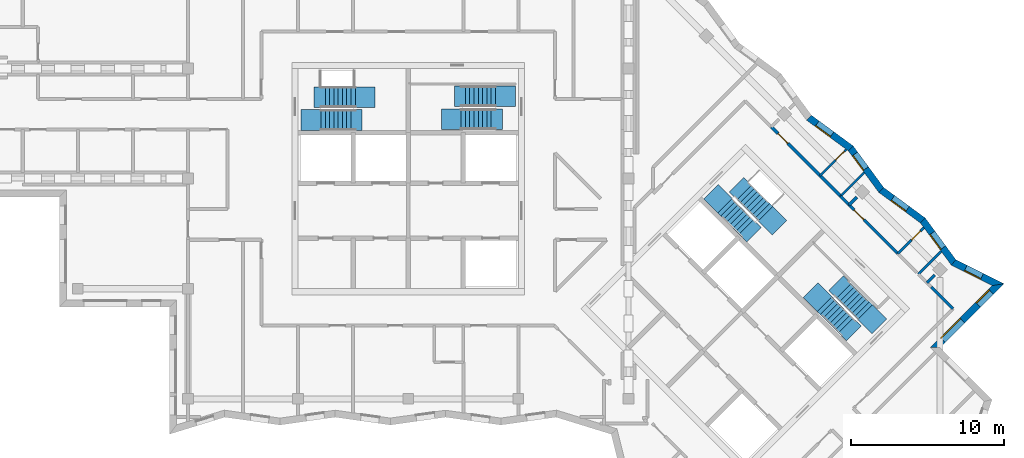
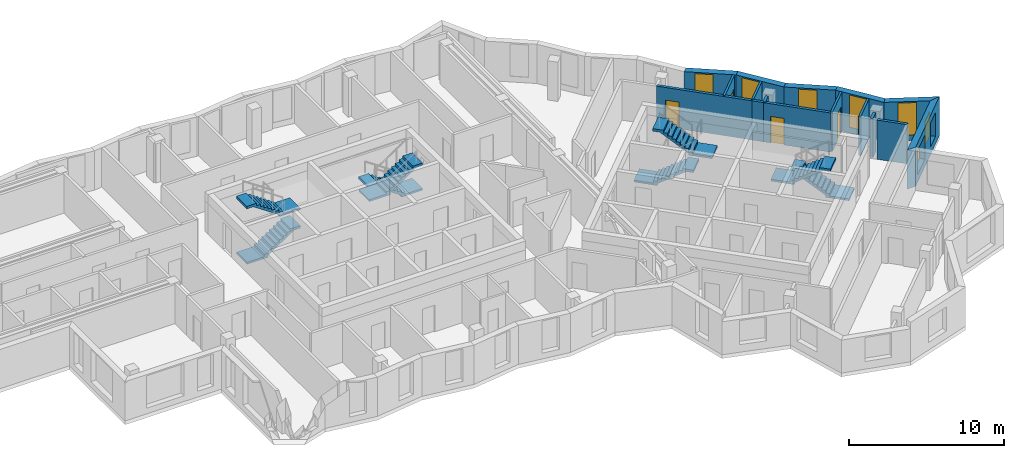
# One storey, part 9 of 12: 16 walls, 8 stair flights, 7 windows, 4 doors, 11 openings, 4 elements without a shape of their own.
"""IFC4 building model written with IfcOpenShell, lengths in metres."""

from ifc_helpers import new_model, si_unit, direction, frame, frame_2d, origin, place, context, subcontext, project, spatial, polyline, rectangle, outline, extrude, material, layer, layer_set, type_object, element, fill, aggregate, save


model = new_model("IFC4")

# Units and contexts
model_context = context("Model", 3, precision=1e-05, world=origin(), true_north=direction((0.0, 1.0)))
body_context = subcontext(model_context, "Body", "Model", "MODEL_VIEW")
ifc_project = project(units=[si_unit("LENGTHUNIT", "METRE"), si_unit("AREAUNIT", "SQUARE_METRE"), si_unit("VOLUMEUNIT", "CUBIC_METRE"), si_unit("PLANEANGLEUNIT", "RADIAN"), si_unit("MASSUNIT", "GRAM", prefix="KILO")], contexts=[model_context])

# Site, building, storey
site_placement = place(None, origin())
site = spatial("IfcSite", under=ifc_project, at=site_placement, CompositionType="ELEMENT")
building_placement = place(site_placement, origin())
building = spatial("IfcBuilding", under=site, at=building_placement, Name="Windrow Commons", CompositionType="ELEMENT")
storey_placement = place(building_placement, frame((0.0, 0.0, 267.6)))
storey = spatial("IfcBuildingStorey", under=building, at=storey_placement, Name="L73", CompositionType="ELEMENT", Elevation=267.6)

# Wall, openings, windows
ifc_material_1 = material(Name="Brick masonry, red clay brick", Category="masonry")
ifc_layer_1 = layer(ifc_material_1, 0.45)
ifc_layer_set_1 = layer_set([ifc_layer_1], Name="Brick facade wall 450")
wall_type_1 = type_object("IfcWallType", Name="Brick facade wall 450", PredefinedType="SOLIDWALL", material=ifc_layer_set_1)
wall_1_placement = place(storey_placement, frame((99.2465, 46.5442, 0.0), z_axis=(0.0, 0.0, 1.0), x_axis=(0.7071067812, 0.7071067812, 0.0)))
wall_1 = element("IfcWall", 1, at=wall_1_placement, inside=storey, type_object=wall_type_1, Name="Brick facade wall L73 6", PredefinedType="SOLIDWALL", context=body_context, shape_type="SweptSolid", body=[
    extrude(outline(polyline([(0.225, -0.225), (6.137, -0.225), (5.5126, 0.225), (-0.225, 0.225), (0.225, -0.225)])), origin(), (0.0, 0.0, 1.0), 3.1),
])
opening_1_placement = place(wall_1_placement, frame((0.7125, 0.0, 0.6)))
opening_1 = element("IfcOpeningElement", 2, at=opening_1_placement, cuts=wall_1, Name="Opening W1L", PredefinedType="OPENING", context=body_context, shape_type="SweptSolid", body=[
    extrude(rectangle(XDim=1.8, YDim=1.9, at=frame_2d((0.9, 0.95))), frame((0.0, 0.235, 0.0), z_axis=(0.0, -1.0, 0.0), x_axis=(1.0, 0.0, 0.0)), (0.0, 0.0, 1.0), 0.47),
])
opening_2_placement = place(wall_1_placement, frame((3.9688, 0.0, 0.6)))
opening_2 = element("IfcOpeningElement", 3, at=opening_2_placement, cuts=wall_1, Name="Opening W7G", PredefinedType="OPENING", context=body_context, shape_type="SweptSolid", body=[
    extrude(rectangle(XDim=1.2, YDim=1.9, at=frame_2d((0.6, 0.95))), frame((0.0, 0.235, 0.0), z_axis=(0.0, -1.0, 0.0), x_axis=(1.0, 0.0, 0.0)), (0.0, 0.0, 1.0), 0.47),
])
ifc_material_2 = material(Name="Clear float glass in anodised aluminium frame", Category="aluminium")
window_type_1 = type_object("IfcWindowType", Name="Window W1L bedroom 1800x1900", PartitioningType="SINGLE_PANEL", PredefinedType="WINDOW", material=ifc_material_2)
window_1_placement = place(opening_1_placement, origin())
window_1 = element("IfcWindow", 4, at=window_1_placement, inside=storey, type_object=window_type_1, Name="Window L73 6.1", OverallHeight=1.9, OverallWidth=1.8, PartitioningType="SINGLE_PANEL", PredefinedType="WINDOW", context=body_context, shape_type="SweptSolid", body=[
    extrude(rectangle(XDim=1.8, YDim=1.9, at=frame_2d((0.9, 0.95))), frame((0.0, 0.205, 0.0), z_axis=(0.0, -1.0, 0.0), x_axis=(1.0, 0.0, 0.0)), (0.0, 0.0, 1.0), 0.06),
])
fill(opening_1, window_1)
ifc_material_3 = material(Name="Clear float glass in anodised aluminium frame", Category="aluminium")
window_type_2 = type_object("IfcWindowType", Name="Window W7 notch 1200x1900", PartitioningType="SINGLE_PANEL", PredefinedType="WINDOW", material=ifc_material_3)
window_2_placement = place(opening_2_placement, origin())
window_2 = element("IfcWindow", 5, at=window_2_placement, inside=storey, type_object=window_type_2, Name="Window L73 6.2", OverallHeight=1.9, OverallWidth=1.2, PartitioningType="SINGLE_PANEL", PredefinedType="WINDOW", context=body_context, shape_type="SweptSolid", body=[
    extrude(rectangle(XDim=1.2, YDim=1.9, at=frame_2d((0.6, 0.95))), frame((0.0, 0.205, 0.0), z_axis=(0.0, -1.0, 0.0), x_axis=(1.0, 0.0, 0.0)), (0.0, 0.0, 1.0), 0.06),
])
fill(opening_2, window_2)

# Wall, opening, window
wall_2_placement = place(storey_placement, frame((103.3653, 50.663, 0.0), z_axis=(0.0, 0.0, 1.0), x_axis=(-0.8944456039, 0.4471767677, 0.0)))
wall_2 = element("IfcWall", 6, at=wall_2_placement, inside=storey, type_object=wall_type_1, Name="Brick facade wall L73 7", PredefinedType="SOLIDWALL", context=body_context, shape_type="SweptSolid", body=[
    extrude(outline(polyline([(-0.3122, -0.225), (3.204, -0.225), (3.3128, 0.225), (0.3122, 0.225), (-0.3122, -0.225)])), origin(), (0.0, 0.0, 1.0), 3.1),
])
opening_3_placement = place(wall_2_placement, frame((1.1853, 0.0, 0.45)))
opening_3 = element("IfcOpeningElement", 7, at=opening_3_placement, cuts=wall_2, Name="Opening W7F", PredefinedType="OPENING", context=body_context, shape_type="SweptSolid", body=[
    extrude(rectangle(XDim=1.2, YDim=2.55, at=frame_2d((0.6, 1.275))), frame((0.0, 0.235, 0.0), z_axis=(0.0, -1.0, 0.0), x_axis=(1.0, 0.0, 0.0)), (0.0, 0.0, 1.0), 0.47),
])
ifc_material_4 = material(Name="Clear float glass in anodised aluminium frame", Category="aluminium")
window_type_3 = type_object("IfcWindowType", Name="Window W7 notch 1200x2550", PartitioningType="SINGLE_PANEL", PredefinedType="WINDOW", material=ifc_material_4)
window_3_placement = place(opening_3_placement, origin())
window_3 = element("IfcWindow", 8, at=window_3_placement, inside=storey, type_object=window_type_3, Name="Window L73 7.1", OverallHeight=2.55, OverallWidth=1.2, PartitioningType="SINGLE_PANEL", PredefinedType="WINDOW", context=body_context, shape_type="SweptSolid", body=[
    extrude(rectangle(XDim=1.2, YDim=2.55, at=frame_2d((0.6, 1.275))), frame((0.0, 0.205, 0.0), z_axis=(0.0, -1.0, 0.0), x_axis=(1.0, 0.0, 0.0)), (0.0, 0.0, 1.0), 0.06),
])
fill(opening_3, window_3)

wall_3_placement = place(storey_placement, frame((100.4508, 52.1201, 0.0), z_axis=(0.0, 0.0, 1.0), x_axis=(-0.5916343714, 0.8062064069, 0.0)))
wall_3 = element("IfcWall", 9, at=wall_3_placement, inside=storey, type_object=wall_type_1, Name="Brick facade wall L73 8", PredefinedType="SOLIDWALL", context=body_context, shape_type="SweptSolid", body=[
    extrude(outline(polyline([(0.0544, -0.225), (3.4292, -0.225), (3.3601, 0.225), (-0.0544, 0.225), (0.0544, -0.225)])), origin(), (0.0, 0.0, 1.0), 3.1),
])
opening_4_placement = place(wall_3_placement, frame((1.1801, 0.0, 0.45)))
opening_4 = element("IfcOpeningElement", 10, at=opening_4_placement, cuts=wall_3, Name="Opening W7F", PredefinedType="OPENING", context=body_context, shape_type="SweptSolid", body=[
    extrude(rectangle(XDim=1.2, YDim=2.55, at=frame_2d((0.6, 1.275))), frame((0.0, 0.235, 0.0), z_axis=(0.0, -1.0, 0.0), x_axis=(1.0, 0.0, 0.0)), (0.0, 0.0, 1.0), 0.47),
])
window_4_placement = place(opening_4_placement, origin())
window_4 = element("IfcWindow", 11, at=window_4_placement, inside=storey, type_object=window_type_3, Name="Window L73 8.1", OverallHeight=2.55, OverallWidth=1.2, PartitioningType="SINGLE_PANEL", PredefinedType="WINDOW", context=body_context, shape_type="SweptSolid", body=[
    extrude(rectangle(XDim=1.2, YDim=2.55, at=frame_2d((0.6, 1.275))), frame((0.0, 0.205, 0.0), z_axis=(0.0, -1.0, 0.0), x_axis=(1.0, 0.0, 0.0)), (0.0, 0.0, 1.0), 0.06),
])
fill(opening_4, window_4)

wall_4_placement = place(storey_placement, frame((98.4424, 54.8569, 0.0), z_axis=(0.0, 0.0, 1.0), x_axis=(-0.806200528, 0.5916423825, 0.0)))
wall_4 = element("IfcWall", 12, at=wall_4_placement, inside=storey, type_object=wall_type_1, Name="Brick facade wall L73 9", PredefinedType="SOLIDWALL", context=body_context, shape_type="SweptSolid", body=[
    extrude(outline(polyline([(-0.0345, -0.225), (3.3403, -0.225), (3.4094, 0.225), (0.0345, 0.225), (-0.0345, -0.225)])), origin(), (0.0, 0.0, 1.0), 3.1),
])
opening_5_placement = place(wall_4_placement, frame((1.2547, 0.0, 0.45)))
opening_5 = element("IfcOpeningElement", 13, at=opening_5_placement, cuts=wall_4, Name="Opening W7F", PredefinedType="OPENING", context=body_context, shape_type="SweptSolid", body=[
    extrude(rectangle(XDim=1.2, YDim=2.55, at=frame_2d((0.6, 1.275))), frame((0.0, 0.235, 0.0), z_axis=(0.0, -1.0, 0.0), x_axis=(1.0, 0.0, 0.0)), (0.0, 0.0, 1.0), 0.47),
])
window_5_placement = place(opening_5_placement, origin())
window_5 = element("IfcWindow", 14, at=window_5_placement, inside=storey, type_object=window_type_3, Name="Window L73 9.1", OverallHeight=2.55, OverallWidth=1.2, PartitioningType="SINGLE_PANEL", PredefinedType="WINDOW", context=body_context, shape_type="SweptSolid", body=[
    extrude(rectangle(XDim=1.2, YDim=2.55, at=frame_2d((0.6, 1.275))), frame((0.0, 0.205, 0.0), z_axis=(0.0, -1.0, 0.0), x_axis=(1.0, 0.0, 0.0)), (0.0, 0.0, 1.0), 0.06),
])
fill(opening_5, window_5)

wall_5_placement = place(storey_placement, frame((95.7216, 56.8536, 0.0), z_axis=(0.0, 0.0, 1.0), x_axis=(-0.5916565162, 0.8061901555, 0.0)))
wall_5 = element("IfcWall", 15, at=wall_5_placement, inside=storey, type_object=wall_type_1, Name="Brick facade wall L73 10", PredefinedType="SOLIDWALL", context=body_context, shape_type="SweptSolid", body=[
    extrude(outline(polyline([(0.0345, -0.225), (3.4094, -0.225), (3.3403, 0.225), (-0.0345, 0.225), (0.0345, -0.225)])), origin(), (0.0, 0.0, 1.0), 3.1),
])
opening_6_placement = place(wall_5_placement, frame((1.7211, 0.0, 0.45)))
opening_6 = element("IfcOpeningElement", 16, at=opening_6_placement, cuts=wall_5, Name="Opening W7F", PredefinedType="OPENING", context=body_context, shape_type="SweptSolid", body=[
    extrude(rectangle(XDim=1.2, YDim=2.55, at=frame_2d((0.6, 1.275))), frame((0.0, 0.235, 0.0), z_axis=(0.0, -1.0, 0.0), x_axis=(1.0, 0.0, 0.0)), (0.0, 0.0, 1.0), 0.47),
])
window_6_placement = place(opening_6_placement, origin())
window_6 = element("IfcWindow", 17, at=window_6_placement, inside=storey, type_object=window_type_3, Name="Window L73 10.1", OverallHeight=2.55, OverallWidth=1.2, PartitioningType="SINGLE_PANEL", PredefinedType="WINDOW", context=body_context, shape_type="SweptSolid", body=[
    extrude(rectangle(XDim=1.2, YDim=2.55, at=frame_2d((0.6, 1.275))), frame((0.0, 0.205, 0.0), z_axis=(0.0, -1.0, 0.0), x_axis=(1.0, 0.0, 0.0)), (0.0, 0.0, 1.0), 0.06),
])
fill(opening_6, window_6)

wall_6_placement = place(storey_placement, frame((93.7249, 59.5743, 0.0), z_axis=(0.0, 0.0, 1.0), x_axis=(-0.806200528, 0.5916423825, 0.0)))
wall_6 = element("IfcWall", 18, at=wall_6_placement, inside=storey, type_object=wall_type_1, Name="Brick facade wall L73 11", PredefinedType="SOLIDWALL", context=body_context, shape_type="SweptSolid", body=[
    extrude(outline(polyline([(-0.0345, -0.225), (3.3403, -0.225), (3.4094, 0.225), (0.0345, 0.225), (-0.0345, -0.225)])), origin(), (0.0, 0.0, 1.0), 3.1),
])
opening_7_placement = place(wall_6_placement, frame((1.5221, 0.0, 0.45)))
opening_7 = element("IfcOpeningElement", 19, at=opening_7_placement, cuts=wall_6, Name="Opening W7F", PredefinedType="OPENING", context=body_context, shape_type="SweptSolid", body=[
    extrude(rectangle(XDim=1.2, YDim=2.55, at=frame_2d((0.6, 1.275))), frame((0.0, 0.235, 0.0), z_axis=(0.0, -1.0, 0.0), x_axis=(1.0, 0.0, 0.0)), (0.0, 0.0, 1.0), 0.47),
])
window_7_placement = place(opening_7_placement, origin())
window_7 = element("IfcWindow", 20, at=window_7_placement, inside=storey, type_object=window_type_3, Name="Window L73 11.1", OverallHeight=2.55, OverallWidth=1.2, PartitioningType="SINGLE_PANEL", PredefinedType="WINDOW", context=body_context, shape_type="SweptSolid", body=[
    extrude(rectangle(XDim=1.2, YDim=2.55, at=frame_2d((0.6, 1.275))), frame((0.0, 0.205, 0.0), z_axis=(0.0, -1.0, 0.0), x_axis=(1.0, 0.0, 0.0)), (0.0, 0.0, 1.0), 0.06),
])
fill(opening_7, window_7)

# Wall, opening, door
ifc_material_5 = material(Name="Blockwork partition", Category="masonry")
ifc_layer_2 = layer(ifc_material_5, 0.2)
ifc_layer_set_2 = layer_set([ifc_layer_2], Name="IW-CORRIDOR-200")
wall_type_2 = type_object("IfcWallType", Name="IW-CORRIDOR-200", PredefinedType="PARTITIONING", material=ifc_layer_set_2)
wall_7_placement = place(storey_placement, frame((88.5373, 60.9733, 0.0), z_axis=(0.0, 0.0, 1.0), x_axis=(0.7071067812, -0.7071067812, 0.0)))
wall_7 = element("IfcWall", 21, at=wall_7_placement, inside=storey, type_object=wall_type_2, Name="W-L73-W024", PredefinedType="PARTITIONING", context=body_context, shape_type="SweptSolid", body=[
    extrude(rectangle(XDim=6.4007, YDim=0.2, at=frame_2d((3.2003, 0.0))), origin(), (0.0, 0.0, 1.0), 3.1),
])
opening_8_placement = place(wall_7_placement, frame((0.6145, 0.0, 0.0)))
opening_8 = element("IfcOpeningElement", 22, at=opening_8_placement, cuts=wall_7, Name="Opening D109S", PredefinedType="OPENING", context=body_context, shape_type="SweptSolid", body=[
    extrude(rectangle(XDim=0.9, YDim=2.1, at=frame_2d((0.45, 1.05))), frame((0.0, 0.11, 0.0), z_axis=(0.0, -1.0, 0.0), x_axis=(1.0, 0.0, 0.0)), (0.0, 0.0, 1.0), 0.22),
])
ifc_material_6 = material(Name="Timber door leaf", Category="wood")
door_type_1 = type_object("IfcDoorType", Name="DT-BEDROOM-900", OperationType="SINGLE_SWING_LEFT", PredefinedType="DOOR", material=ifc_material_6)
door_1_placement = place(opening_8_placement, origin())
door_1 = element("IfcDoor", 23, at=door_1_placement, inside=storey, type_object=door_type_1, Name="D-L73-D028", OperationType="SINGLE_SWING_LEFT", OverallHeight=2.1, OverallWidth=0.9, PredefinedType="DOOR", context=body_context, shape_type="SweptSolid", body=[
    extrude(rectangle(XDim=0.9, YDim=2.1, at=frame_2d((0.45, 1.05))), frame((0.0, 0.025, 0.0), z_axis=(0.0, -1.0, 0.0), x_axis=(1.0, 0.0, 0.0)), (0.0, 0.0, 1.0), 0.05),
])
fill(opening_8, door_1)

wall_8_placement = place(storey_placement, frame((93.6213, 55.8753, 0.0), z_axis=(0.0, 0.0, 1.0), x_axis=(0.7071067812, -0.7071067812, 0.0)))
wall_8 = element("IfcWall", 24, at=wall_8_placement, inside=storey, type_object=wall_type_2, Name="W-L73-W039", PredefinedType="PARTITIONING", context=body_context, shape_type="SweptSolid", body=[
    extrude(rectangle(XDim=4.5, YDim=0.2, at=frame_2d((2.25, 0.0))), origin(), (0.0, 0.0, 1.0), 3.1),
])
opening_9_placement = place(wall_8_placement, frame((0.4673, 0.0, 0.0)))
opening_9 = element("IfcOpeningElement", 25, at=opening_9_placement, cuts=wall_8, Name="Opening D109S", PredefinedType="OPENING", context=body_context, shape_type="SweptSolid", body=[
    extrude(rectangle(XDim=0.9, YDim=2.1, at=frame_2d((0.45, 1.05))), frame((0.0, 0.11, 0.0), z_axis=(0.0, -1.0, 0.0), x_axis=(1.0, 0.0, 0.0)), (0.0, 0.0, 1.0), 0.22),
])
door_2_placement = place(opening_9_placement, origin())
door_2 = element("IfcDoor", 26, at=door_2_placement, inside=storey, type_object=door_type_1, Name="D-L73-D030", OperationType="SINGLE_SWING_LEFT", OverallHeight=2.1, OverallWidth=0.9, PredefinedType="DOOR", context=body_context, shape_type="SweptSolid", body=[
    extrude(rectangle(XDim=0.9, YDim=2.1, at=frame_2d((0.45, 1.05))), frame((0.0, 0.025, 0.0), z_axis=(0.0, -1.0, 0.0), x_axis=(1.0, 0.0, 0.0)), (0.0, 0.0, 1.0), 0.05),
])
fill(opening_9, door_2)

# Walls
wall_9_placement = place(storey_placement, frame((98.9983, 50.5043, 0.0), z_axis=(0.0, 0.0, 1.0), x_axis=(0.7076063266, -0.7066068826, 0.0)))
element("IfcWall", 27, at=wall_9_placement, inside=storey, type_object=wall_type_2, Name="W-L73-W087", PredefinedType="PARTITIONING", context=body_context, shape_type="SweptSolid", body=[
    extrude(rectangle(XDim=2.0011, YDim=0.2, at=frame_2d((1.0006, 0.0))), origin(), (0.0, 0.0, 1.0), 3.1),
])
wall_10_placement = place(storey_placement, frame((93.0593, 56.4433, 0.0), z_axis=(0.0, 0.0, 1.0), x_axis=(0.7058541592, -0.7083571881, 0.0)))
element("IfcWall", 28, at=wall_10_placement, inside=storey, type_object=wall_type_2, Name="W-L73-W122", PredefinedType="PARTITIONING", context=body_context, shape_type="SweptSolid", body=[
    extrude(rectangle(XDim=0.799, YDim=0.2, at=frame_2d((0.3995, 0.0))), origin(), (0.0, 0.0, 1.0), 3.1),
])

# Wall, opening, door
ifc_material_7 = material(Name="Blockwork partition", Category="masonry")
ifc_layer_3 = layer(ifc_material_7, 0.15)
ifc_layer_set_3 = layer_set([ifc_layer_3], Name="IW-ENSUITE-150")
wall_type_3 = type_object("IfcWallType", Name="IW-ENSUITE-150", PredefinedType="PARTITIONING", material=ifc_layer_set_3)
wall_11_placement = place(storey_placement, frame((91.7155, 57.7885, 0.0), z_axis=(0.0, 0.0, 1.0), x_axis=(0.7071067812, 0.7071067812, 0.0)))
wall_11 = element("IfcWall", 29, at=wall_11_placement, inside=storey, type_object=wall_type_3, Name="W-L73-W080", PredefinedType="PARTITIONING", context=body_context, shape_type="SweptSolid", body=[
    extrude(rectangle(XDim=2.4317, YDim=0.15, at=frame_2d((1.2159, 0.0))), origin(), (0.0, 0.0, 1.0), 3.1),
])
opening_10_placement = place(wall_11_placement, frame((1.4525, 0.0, 0.0)))
opening_10 = element("IfcOpeningElement", 30, at=opening_10_placement, cuts=wall_11, Name="Opening D208N", PredefinedType="OPENING", context=body_context, shape_type="SweptSolid", body=[
    extrude(rectangle(XDim=0.8, YDim=2.1, at=frame_2d((0.4, 1.05))), frame((0.0, 0.085, 0.0), z_axis=(0.0, -1.0, 0.0), x_axis=(1.0, 0.0, 0.0)), (0.0, 0.0, 1.0), 0.17),
])
ifc_material_8 = material(Name="Timber door leaf", Category="wood")
door_type_2 = type_object("IfcDoorType", Name="DT-ENSUITE-800", OperationType="SINGLE_SWING_LEFT", PredefinedType="DOOR", material=ifc_material_8)
door_3_placement = place(opening_10_placement, origin())
door_3 = element("IfcDoor", 31, at=door_3_placement, inside=storey, type_object=door_type_2, Name="D-L73-D029", OperationType="SINGLE_SWING_RIGHT", OverallHeight=2.1, OverallWidth=0.8, PredefinedType="DOOR", context=body_context, shape_type="SweptSolid", body=[
    extrude(rectangle(XDim=0.8, YDim=2.1, at=frame_2d((0.4, 1.05))), frame((0.0, 0.025, 0.0), z_axis=(0.0, -1.0, 0.0), x_axis=(1.0, 0.0, 0.0)), (0.0, 0.0, 1.0), 0.05),
])
fill(opening_10, door_3)

wall_12_placement = place(storey_placement, frame((96.8088, 52.6932, 0.0), z_axis=(0.0, 0.0, 1.0), x_axis=(0.7075441989, 0.7066690927, 0.0)))
wall_12 = element("IfcWall", 32, at=wall_12_placement, inside=storey, type_object=wall_type_3, Name="W-L73-W082", PredefinedType="PARTITIONING", context=body_context, shape_type="SweptSolid", body=[
    extrude(rectangle(XDim=2.3997, YDim=0.15, at=frame_2d((1.1999, 0.0))), origin(), (0.0, 0.0, 1.0), 3.1),
])
opening_11_placement = place(wall_12_placement, frame((1.2751, 0.0, 0.0)))
opening_11 = element("IfcOpeningElement", 33, at=opening_11_placement, cuts=wall_12, Name="Opening D208N", PredefinedType="OPENING", context=body_context, shape_type="SweptSolid", body=[
    extrude(rectangle(XDim=0.8, YDim=2.1, at=frame_2d((0.4, 1.05))), frame((0.0, 0.085, 0.0), z_axis=(0.0, -1.0, 0.0), x_axis=(1.0, 0.0, 0.0)), (0.0, 0.0, 1.0), 0.17),
])
door_4_placement = place(opening_11_placement, origin())
door_4 = element("IfcDoor", 34, at=door_4_placement, inside=storey, type_object=door_type_2, Name="D-L73-D031", OperationType="SINGLE_SWING_RIGHT", OverallHeight=2.1, OverallWidth=0.8, PredefinedType="DOOR", context=body_context, shape_type="SweptSolid", body=[
    extrude(rectangle(XDim=0.8, YDim=2.1, at=frame_2d((0.4, 1.05))), frame((0.0, 0.025, 0.0), z_axis=(0.0, -1.0, 0.0), x_axis=(1.0, 0.0, 0.0)), (0.0, 0.0, 1.0), 0.05),
])
fill(opening_11, door_4)

# Walls
wall_13_placement = place(storey_placement, frame((93.059, 56.445, 0.0), z_axis=(0.0, 0.0, 1.0), x_axis=(0.7071067812, 0.7071067812, 0.0)))
element("IfcWall", 35, at=wall_13_placement, inside=storey, type_object=wall_type_3, Name="W-L73-W085", PredefinedType="PARTITIONING", context=body_context, shape_type="SweptSolid", body=[
    extrude(rectangle(XDim=2.1886, YDim=0.15, at=frame_2d((1.0943, 0.0))), origin(), (0.0, 0.0, 1.0), 3.1),
])
wall_14_placement = place(storey_placement, frame((98.1492, 51.3528, 0.0), z_axis=(0.0, 0.0, 1.0), x_axis=(0.7070830723, 0.7071304893, 0.0)))
element("IfcWall", 36, at=wall_14_placement, inside=storey, type_object=wall_type_3, Name="W-L73-W086", PredefinedType="PARTITIONING", context=body_context, shape_type="SweptSolid", body=[
    extrude(rectangle(XDim=2.1089, YDim=0.15, at=frame_2d((1.0545, 0.0))), origin(), (0.0, 0.0, 1.0), 3.1),
])
ifc_material_9 = material(Name="Blockwork partition", Category="masonry")
ifc_layer_4 = layer(ifc_material_9, 0.2)
ifc_layer_set_4 = layer_set([ifc_layer_4], Name="IW-PARTY-200")
wall_type_4 = type_object("IfcWallType", Name="IW-PARTY-200", PredefinedType="PARTITIONING", material=ifc_layer_set_4)
for number, where, z_axis, x_axis, name in (
    (37, (93.625, 55.877, 0.0), (0.0, 0.0, 1.0), (0.7085224061, 0.7056883165, 0.0), "W-L73-W123"),
    (38, (98.7136, 50.7884, 0.0), (0.0, 0.0, 1.0), (0.7056883165, 0.7085224061, 0.0), "W-L73-W124"),
):
    element("IfcWall", number, at=place(storey_placement, frame(where, z_axis=z_axis, x_axis=x_axis)), inside=storey, type_object=wall_type_4, Name=name, PredefinedType="PARTITIONING", context=body_context, shape_type="SweptSolid", body=[
        extrude(rectangle(XDim=0.7057, YDim=0.2, at=frame_2d((0.3528, 0.0))), origin(), (0.0, 0.0, 1.0), 3.1),
    ])

# Stair, stair flights
ifc_material_10 = material(Name="Concrete C40/50", Category="concrete")
stair_type = type_object("IfcStairType", Name="Core stair", PredefinedType="HALF_TURN_STAIR", material=ifc_material_10)
placement = place(storey_placement, origin())
stair_1 = element("IfcStair", 39, at=placement, inside=storey, type_object=stair_type, Name="L73 Exit stair A1 core A", PredefinedType="HALF_TURN_STAIR")
ifc_material_11 = material(Name="Concrete C40/50", Category="concrete")
stair_flight_type = type_object("IfcStairFlightType", Name="Core stair flight", PredefinedType="STRAIGHT", material=ifc_material_11)
stair_flight_1_placement = place(storey_placement, frame((59.1, 61.425, 0.0), z_axis=(0.0, 0.0, 1.0), x_axis=(1.0, 0.0, 0.0)))
stair_flight_1 = element("IfcStairFlight", 40, at=stair_flight_1_placement, type_object=stair_flight_type, Name="ST-A1 flight 1", NumberOfRisers=9, NumberOfTreads=8, PredefinedType="STRAIGHT", RiserHeight=0.188888889, TreadLength=0.28, context=body_context, shape_type="SweptSolid", body=[
    extrude(outline(polyline([(-1.3, -0.15), (-1.3, 0.0), (0.0, 0.0), (0.0, 0.1889), (0.28, 0.1889), (0.28, 0.3778), (0.56, 0.3778), (0.56, 0.5667), (0.84, 0.5667), (0.84, 0.7556), (1.12, 0.7556), (1.12, 0.9444), (1.4, 0.9444), (1.4, 1.1333), (1.68, 1.1333), (1.68, 1.3222), (1.96, 1.3222), (1.96, 1.5111), (2.24, 1.5111), (2.69, 1.5111), (2.69, 1.3111), (2.24, 1.3111), (2.24, 1.3302), (0.2682, 0.0), (0.2682, -0.15), (-1.3, -0.15)])), frame((0.0, 0.675, 0.0), z_axis=(0.0, -1.0, 0.0), x_axis=(1.0, 0.0, 0.0)), (0.0, 0.0, 1.0), 1.35),
])
stair_flight_2_placement = place(storey_placement, frame((61.34, 62.925, 1.7), z_axis=(0.0, 0.0, 1.0), x_axis=(-1.0, 0.0, 0.0)))
stair_flight_2 = element("IfcStairFlight", 41, at=stair_flight_2_placement, type_object=stair_flight_type, Name="ST-A1 flight 2", NumberOfRisers=9, NumberOfTreads=8, PredefinedType="STRAIGHT", RiserHeight=0.188888889, TreadLength=0.28, context=body_context, shape_type="SweptSolid", body=[
    extrude(outline(polyline([(-1.3, -0.15), (-1.3, 0.0), (0.0, 0.0), (0.0, 0.1889), (0.28, 0.1889), (0.28, 0.3778), (0.56, 0.3778), (0.56, 0.5667), (0.84, 0.5667), (0.84, 0.7556), (1.12, 0.7556), (1.12, 0.9444), (1.4, 0.9444), (1.4, 1.1333), (1.68, 1.1333), (1.68, 1.3222), (1.96, 1.3222), (1.96, 1.5111), (2.24, 1.5111), (2.69, 1.5111), (2.69, 1.3111), (2.24, 1.3111), (2.24, 1.3302), (0.2682, 0.0), (0.2682, -0.15), (-1.3, -0.15)])), frame((0.0, 0.675, 0.0), z_axis=(0.0, -1.0, 0.0), x_axis=(1.0, 0.0, 0.0)), (0.0, 0.0, 1.0), 1.35),
])
aggregate(stair_1, [stair_flight_1, stair_flight_2])

stair_2 = element("IfcStair", 42, at=placement, inside=storey, type_object=stair_type, Name="L73 Exit stair A2 core A", PredefinedType="HALF_TURN_STAIR")
stair_flight_3_placement = place(storey_placement, frame((70.5, 62.98, 0.0), z_axis=(0.0, 0.0, 1.0), x_axis=(-1.0, 0.0, 0.0)))
stair_flight_3 = element("IfcStairFlight", 43, at=stair_flight_3_placement, type_object=stair_flight_type, Name="ST-A2 flight 1", NumberOfRisers=9, NumberOfTreads=8, PredefinedType="STRAIGHT", RiserHeight=0.188888889, TreadLength=0.28, context=body_context, shape_type="SweptSolid", body=[
    extrude(outline(polyline([(-1.3, -0.15), (-1.3, 0.0), (0.0, 0.0), (0.0, 0.1889), (0.28, 0.1889), (0.28, 0.3778), (0.56, 0.3778), (0.56, 0.5667), (0.84, 0.5667), (0.84, 0.7556), (1.12, 0.7556), (1.12, 0.9444), (1.4, 0.9444), (1.4, 1.1333), (1.68, 1.1333), (1.68, 1.3222), (1.96, 1.3222), (1.96, 1.5111), (2.24, 1.5111), (2.69, 1.5111), (2.69, 1.3111), (2.24, 1.3111), (2.24, 1.3302), (0.2682, 0.0), (0.2682, -0.15), (-1.3, -0.15)])), frame((0.0, 0.675, 0.0), z_axis=(0.0, -1.0, 0.0), x_axis=(1.0, 0.0, 0.0)), (0.0, 0.0, 1.0), 1.35),
])
stair_flight_4_placement = place(storey_placement, frame((68.26, 61.48, 1.7), z_axis=(0.0, 0.0, 1.0), x_axis=(1.0, 0.0, 0.0)))
stair_flight_4 = element("IfcStairFlight", 44, at=stair_flight_4_placement, type_object=stair_flight_type, Name="ST-A2 flight 2", NumberOfRisers=9, NumberOfTreads=8, PredefinedType="STRAIGHT", RiserHeight=0.188888889, TreadLength=0.28, context=body_context, shape_type="SweptSolid", body=[
    extrude(outline(polyline([(-1.3, -0.15), (-1.3, 0.0), (0.0, 0.0), (0.0, 0.1889), (0.28, 0.1889), (0.28, 0.3778), (0.56, 0.3778), (0.56, 0.5667), (0.84, 0.5667), (0.84, 0.7556), (1.12, 0.7556), (1.12, 0.9444), (1.4, 0.9444), (1.4, 1.1333), (1.68, 1.1333), (1.68, 1.3222), (1.96, 1.3222), (1.96, 1.5111), (2.24, 1.5111), (2.69, 1.5111), (2.69, 1.3111), (2.24, 1.3111), (2.24, 1.3302), (0.2682, 0.0), (0.2682, -0.15), (-1.3, -0.15)])), frame((0.0, 0.675, 0.0), z_axis=(0.0, -1.0, 0.0), x_axis=(1.0, 0.0, 0.0)), (0.0, 0.0, 1.0), 1.35),
])
aggregate(stair_2, [stair_flight_3, stair_flight_4])

stair_3 = element("IfcStair", 45, at=placement, inside=storey, type_object=stair_type, Name="L73 Exit stair B1 core B", PredefinedType="HALF_TURN_STAIR")
stair_flight_5_placement = place(storey_placement, frame((85.5109, 55.8249, 0.0), z_axis=(0.0, 0.0, 1.0), x_axis=(0.7071067812, -0.7071067812, 0.0)))
stair_flight_5 = element("IfcStairFlight", 46, at=stair_flight_5_placement, type_object=stair_flight_type, Name="ST-B1 flight 1", NumberOfRisers=9, NumberOfTreads=8, PredefinedType="STRAIGHT", RiserHeight=0.188888889, TreadLength=0.28, context=body_context, shape_type="SweptSolid", body=[
    extrude(outline(polyline([(-1.3, -0.15), (-1.3, 0.0), (0.0, 0.0), (0.0, 0.1889), (0.28, 0.1889), (0.28, 0.3778), (0.56, 0.3778), (0.56, 0.5667), (0.84, 0.5667), (0.84, 0.7556), (1.12, 0.7556), (1.12, 0.9444), (1.4, 0.9444), (1.4, 1.1333), (1.68, 1.1333), (1.68, 1.3222), (1.96, 1.3222), (1.96, 1.5111), (2.24, 1.5111), (2.69, 1.5111), (2.69, 1.3111), (2.24, 1.3111), (2.24, 1.3302), (0.2682, 0.0), (0.2682, -0.15), (-1.3, -0.15)])), frame((0.0, 0.675, 0.0), z_axis=(0.0, -1.0, 0.0), x_axis=(1.0, 0.0, 0.0)), (0.0, 0.0, 1.0), 1.35),
])
stair_flight_6_placement = place(storey_placement, frame((88.1555, 55.3017, 1.7), z_axis=(0.0, 0.0, 1.0), x_axis=(-0.7071067812, 0.7071067812, 0.0)))
stair_flight_6 = element("IfcStairFlight", 47, at=stair_flight_6_placement, type_object=stair_flight_type, Name="ST-B1 flight 2", NumberOfRisers=9, NumberOfTreads=8, PredefinedType="STRAIGHT", RiserHeight=0.188888889, TreadLength=0.28, context=body_context, shape_type="SweptSolid", body=[
    extrude(outline(polyline([(-1.3, -0.15), (-1.3, 0.0), (0.0, 0.0), (0.0, 0.1889), (0.28, 0.1889), (0.28, 0.3778), (0.56, 0.3778), (0.56, 0.5667), (0.84, 0.5667), (0.84, 0.7556), (1.12, 0.7556), (1.12, 0.9444), (1.4, 0.9444), (1.4, 1.1333), (1.68, 1.1333), (1.68, 1.3222), (1.96, 1.3222), (1.96, 1.5111), (2.24, 1.5111), (2.69, 1.5111), (2.69, 1.3111), (2.24, 1.3111), (2.24, 1.3302), (0.2682, 0.0), (0.2682, -0.15), (-1.3, -0.15)])), frame((0.0, 0.675, 0.0), z_axis=(0.0, -1.0, 0.0), x_axis=(1.0, 0.0, 0.0)), (0.0, 0.0, 1.0), 1.35),
])
aggregate(stair_3, [stair_flight_5, stair_flight_6])

stair_4 = element("IfcStair", 48, at=placement, inside=storey, type_object=stair_type, Name="L73 Exit stair B2 core B", PredefinedType="HALF_TURN_STAIR")
stair_flight_7_placement = place(storey_placement, frame((94.6715, 48.8635, 0.0), z_axis=(0.0, 0.0, 1.0), x_axis=(-0.7071067812, 0.7071067812, 0.0)))
stair_flight_7 = element("IfcStairFlight", 49, at=stair_flight_7_placement, type_object=stair_flight_type, Name="ST-B2 flight 1", NumberOfRisers=9, NumberOfTreads=8, PredefinedType="STRAIGHT", RiserHeight=0.188888889, TreadLength=0.28, context=body_context, shape_type="SweptSolid", body=[
    extrude(outline(polyline([(-1.3, -0.15), (-1.3, 0.0), (0.0, 0.0), (0.0, 0.1889), (0.28, 0.1889), (0.28, 0.3778), (0.56, 0.3778), (0.56, 0.5667), (0.84, 0.5667), (0.84, 0.7556), (1.12, 0.7556), (1.12, 0.9444), (1.4, 0.9444), (1.4, 1.1333), (1.68, 1.1333), (1.68, 1.3222), (1.96, 1.3222), (1.96, 1.5111), (2.24, 1.5111), (2.69, 1.5111), (2.69, 1.3111), (2.24, 1.3111), (2.24, 1.3302), (0.2682, 0.0), (0.2682, -0.15), (-1.3, -0.15)])), frame((0.0, 0.675, 0.0), z_axis=(0.0, -1.0, 0.0), x_axis=(1.0, 0.0, 0.0)), (0.0, 0.0, 1.0), 1.35),
])
stair_flight_8_placement = place(storey_placement, frame((92.0269, 49.3867, 1.7), z_axis=(0.0, 0.0, 1.0), x_axis=(0.7071067812, -0.7071067812, 0.0)))
stair_flight_8 = element("IfcStairFlight", 50, at=stair_flight_8_placement, type_object=stair_flight_type, Name="ST-B2 flight 2", NumberOfRisers=9, NumberOfTreads=8, PredefinedType="STRAIGHT", RiserHeight=0.188888889, TreadLength=0.28, context=body_context, shape_type="SweptSolid", body=[
    extrude(outline(polyline([(-1.3, -0.15), (-1.3, 0.0), (0.0, 0.0), (0.0, 0.1889), (0.28, 0.1889), (0.28, 0.3778), (0.56, 0.3778), (0.56, 0.5667), (0.84, 0.5667), (0.84, 0.7556), (1.12, 0.7556), (1.12, 0.9444), (1.4, 0.9444), (1.4, 1.1333), (1.68, 1.1333), (1.68, 1.3222), (1.96, 1.3222), (1.96, 1.5111), (2.24, 1.5111), (2.69, 1.5111), (2.69, 1.3111), (2.24, 1.3111), (2.24, 1.3302), (0.2682, 0.0), (0.2682, -0.15), (-1.3, -0.15)])), frame((0.0, 0.675, 0.0), z_axis=(0.0, -1.0, 0.0), x_axis=(1.0, 0.0, 0.0)), (0.0, 0.0, 1.0), 1.35),
])
aggregate(stair_4, [stair_flight_7, stair_flight_8])

save(model, "model.ifc")
